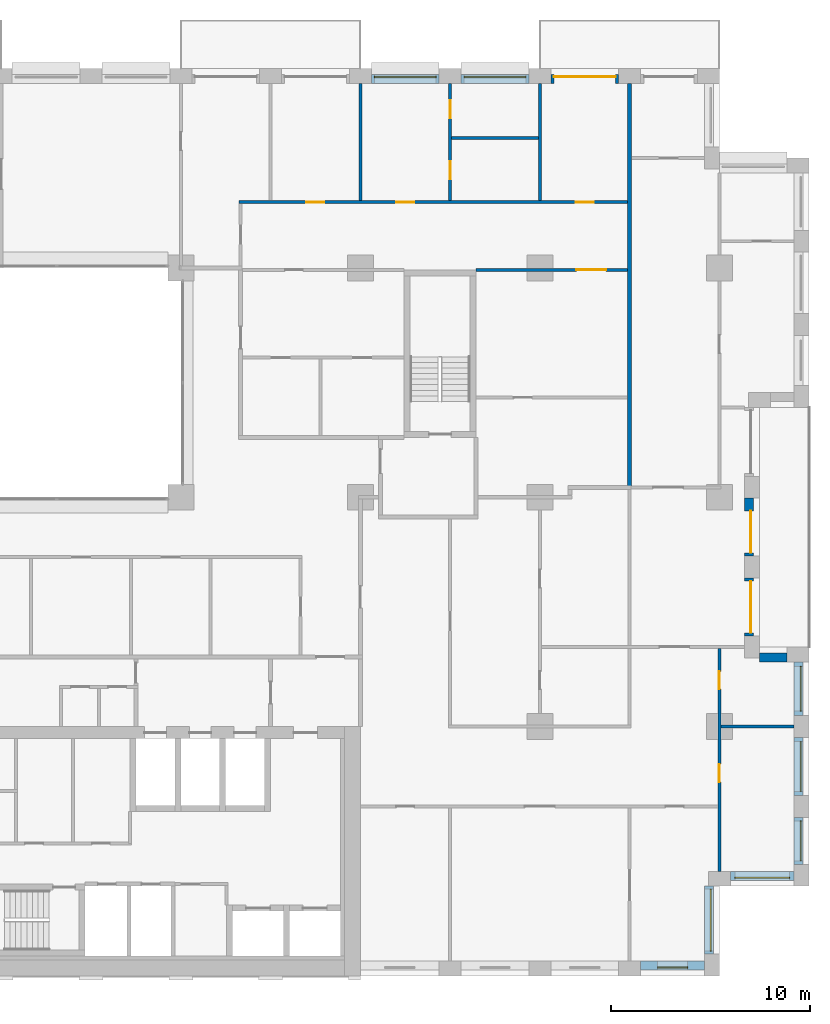
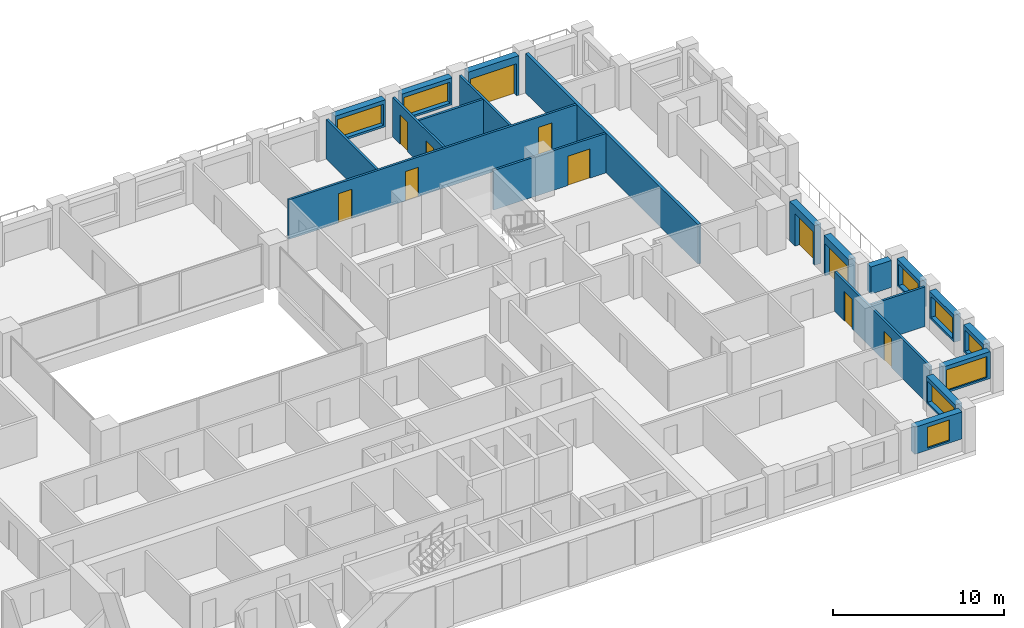
# One storey, part 14 of 16: 21 walls, 11 doors, 8 windows, 19 openings.
"""IFC4 building model written with IfcOpenShell, lengths in metres."""

from ifc_helpers import new_model, si_unit, direction, frame, frame_2d, origin, place, context, subcontext, project, spatial, rectangle, extrude, material, layer, layer_set, type_object, element, fill, save


model = new_model("IFC4")

# Units and contexts
model_context = context("Model", 3, precision=1e-05, world=origin(), true_north=direction((0.0, 1.0)))
body_context = subcontext(model_context, "Body", "Model", "MODEL_VIEW")
ifc_project = project(units=[si_unit("LENGTHUNIT", "METRE"), si_unit("AREAUNIT", "SQUARE_METRE"), si_unit("VOLUMEUNIT", "CUBIC_METRE"), si_unit("PLANEANGLEUNIT", "RADIAN"), si_unit("MASSUNIT", "GRAM", prefix="KILO")], contexts=[model_context])

# Site, building, storey
site_placement = place(None, origin())
site = spatial("IfcSite", under=ifc_project, at=site_placement, CompositionType="ELEMENT")
building_placement = place(site_placement, origin())
building = spatial("IfcBuilding", under=site, at=building_placement, Name="Brigalow Station Residences", CompositionType="ELEMENT")
storey_placement = place(building_placement, frame((0.0, 0.0, 86.699951171875)))
storey = spatial("IfcBuildingStorey", under=building, at=storey_placement, Name="L24", CompositionType="ELEMENT", Elevation=86.699951171875)

# Wall, opening, window
ifc_material_1 = material(Name="Clay brick masonry", Category="masonry")
ifc_layer_1 = layer(ifc_material_1, 0.449951171875)
ifc_layer_set_1 = layer_set([ifc_layer_1], Name="BRICK INFILL WALL 450")
wall_type_1 = type_object("IfcWallType", Name="BRICK INFILL WALL 450", PredefinedType="SOLIDWALL", material=ifc_layer_set_1)
wall_1_placement = place(storey_placement, frame((68.050048828125, 0.52490234375, 0.900146484375), z_axis=(0.0, 0.0, 1.0), x_axis=(1.0, 0.0, 0.0)))
wall_1 = element("IfcWall", 1, at=wall_1_placement, inside=storey, type_object=wall_type_1, Name="L24/ewall/W-L24-7", PredefinedType="SOLIDWALL", context=body_context, shape_type="SweptSolid", body=[
    extrude(rectangle(XDim=3.199951171875, YDim=0.449951171875, at=frame_2d((1.60009765625, 0.0))), origin(), (0.0, 0.0, 1.0), 1.929931640625),
])
opening_1_placement = place(wall_1_placement, frame((0.85009765625, 0.0, 0.14990234375)))
opening_1 = element("IfcOpeningElement", 2, at=opening_1_placement, cuts=wall_1, Name="Opening WT-1", PredefinedType="OPENING", context=body_context, shape_type="SweptSolid", body=[
    extrude(rectangle(XDim=1.5, YDim=1.5, at=frame_2d((0.75, 0.75))), frame((0.0, 0.23486328125, 0.0), z_axis=(0.0, -1.0, 0.0), x_axis=(1.0, 0.0, 0.0)), (0.0, 0.0, 1.0), 0.469970703125),
])
ifc_material_2 = material(Name="Anodised aluminium frame with double glazing", Category="aluminium")
window_type_1 = type_object("IfcWindowType", Name="WINDOW 1500x1500", PartitioningType="SINGLE_PANEL", PredefinedType="WINDOW", material=ifc_material_2)
window_1_placement = place(opening_1_placement, origin())
window_1 = element("IfcWindow", 3, at=window_1_placement, inside=storey, type_object=window_type_1, Name="L24/window/W-L24-7", OverallHeight=1.5, OverallWidth=1.5, PartitioningType="SINGLE_PANEL", PredefinedType="WINDOW", context=body_context, shape_type="SweptSolid", body=[
    extrude(rectangle(XDim=1.5, YDim=1.5, at=frame_2d((0.75, 0.75))), frame((0.0, -0.06494140625, 0.0), z_axis=(0.0, -1.0, 0.0), x_axis=(1.0, 0.0, 0.0)), (0.0, 0.0, 1.0), 0.06005859375),
])
fill(opening_1, window_1)

wall_2_placement = place(storey_placement, frame((71.47509765625, 1.10009765625, 0.900146484375), z_axis=(0.0, 0.0, 1.0), x_axis=(0.0, 1.0, 0.0)))
wall_2 = element("IfcWall", 4, at=wall_2_placement, inside=storey, type_object=wall_type_1, Name="L24/ewall/W-L24-8", PredefinedType="SOLIDWALL", context=body_context, shape_type="SweptSolid", body=[
    extrude(rectangle(XDim=3.39990234375, YDim=0.449951171875, at=frame_2d((1.699951171875, 0.0))), origin(), (0.0, 0.0, 1.0), 1.929931640625),
])
opening_2_placement = place(wall_2_placement, frame((0.14990234375, 0.0, 0.14990234375)))
opening_2 = element("IfcOpeningElement", 5, at=opening_2_placement, cuts=wall_2, Name="Opening WT-8", PredefinedType="OPENING", context=body_context, shape_type="SweptSolid", body=[
    extrude(rectangle(XDim=3.10009765625, YDim=1.5, at=frame_2d((1.550048828125, 0.75))), frame((0.0, 0.23486328125, 0.0), z_axis=(0.0, -1.0, 0.0), x_axis=(1.0, 0.0, 0.0)), (0.0, 0.0, 1.0), 0.469970703125),
])
ifc_material_3 = material(Name="Anodised aluminium frame with double glazing", Category="aluminium")
window_type_2 = type_object("IfcWindowType", Name="WINDOW 3100x1500", PartitioningType="SINGLE_PANEL", PredefinedType="WINDOW", material=ifc_material_3)
window_2_placement = place(opening_2_placement, origin())
window_2 = element("IfcWindow", 6, at=window_2_placement, inside=storey, type_object=window_type_2, Name="L24/window/W-L24-8", OverallHeight=1.5, OverallWidth=3.10009765625, PartitioningType="SINGLE_PANEL", PredefinedType="WINDOW", context=body_context, shape_type="SweptSolid", body=[
    extrude(rectangle(XDim=3.10009765625, YDim=1.5, at=frame_2d((1.550048828125, 0.75))), frame((0.0, -0.06494140625, 0.0), z_axis=(0.0, -1.0, 0.0), x_axis=(1.0, 0.0, 0.0)), (0.0, 0.0, 1.0), 0.06005859375),
])
fill(opening_2, window_2)

wall_3_placement = place(storey_placement, frame((72.550048828125, 5.02490234375, 0.900146484375), z_axis=(0.0, 0.0, 1.0), x_axis=(1.0, 0.0, 0.0)))
wall_3 = element("IfcWall", 7, at=wall_3_placement, inside=storey, type_object=wall_type_1, Name="L24/ewall/W-L24-9", PredefinedType="SOLIDWALL", context=body_context, shape_type="SweptSolid", body=[
    extrude(rectangle(XDim=3.199951171875, YDim=0.449951171875, at=frame_2d((1.60009765625, 0.0))), origin(), (0.0, 0.0, 1.0), 1.929931640625),
])
opening_3_placement = place(wall_3_placement, frame((0.22509765625, 0.0, 0.14990234375)))
opening_3 = element("IfcOpeningElement", 8, at=opening_3_placement, cuts=wall_3, Name="Opening WT-3", PredefinedType="OPENING", context=body_context, shape_type="SweptSolid", body=[
    extrude(rectangle(XDim=2.75, YDim=1.5, at=frame_2d((1.375, 0.75))), frame((0.0, 0.23486328125, 0.0), z_axis=(0.0, -1.0, 0.0), x_axis=(1.0, 0.0, 0.0)), (0.0, 0.0, 1.0), 0.469970703125),
])
ifc_material_4 = material(Name="Anodised aluminium frame with double glazing", Category="aluminium")
window_type_3 = type_object("IfcWindowType", Name="WINDOW 2750x1500", PartitioningType="SINGLE_PANEL", PredefinedType="WINDOW", material=ifc_material_4)
window_3_placement = place(opening_3_placement, origin())
window_3 = element("IfcWindow", 9, at=window_3_placement, inside=storey, type_object=window_type_3, Name="L24/window/W-L24-9", OverallHeight=1.5, OverallWidth=2.75, PartitioningType="SINGLE_PANEL", PredefinedType="WINDOW", context=body_context, shape_type="SweptSolid", body=[
    extrude(rectangle(XDim=2.75, YDim=1.5, at=frame_2d((1.375, 0.75))), frame((0.0, -0.06494140625, 0.0), z_axis=(0.0, -1.0, 0.0), x_axis=(1.0, 0.0, 0.0)), (0.0, 0.0, 1.0), 0.06005859375),
])
fill(opening_3, window_3)

wall_4_placement = place(storey_placement, frame((75.97509765625, 5.60009765625, 0.900146484375), z_axis=(0.0, 0.0, 1.0), x_axis=(0.0, 1.0, 0.0)))
wall_4 = element("IfcWall", 10, at=wall_4_placement, inside=storey, type_object=wall_type_1, Name="L24/ewall/W-L24-10", PredefinedType="SOLIDWALL", context=body_context, shape_type="SweptSolid", body=[
    extrude(rectangle(XDim=2.349853515625, YDim=0.449951171875, at=frame_2d((1.1748046875, 0.0))), origin(), (0.0, 0.0, 1.0), 1.929931640625),
])
opening_4_placement = place(wall_4_placement, frame((0.175048828125, 0.0, 0.14990234375)))
opening_4 = element("IfcOpeningElement", 11, at=opening_4_placement, cuts=wall_4, Name="Opening WT-7", PredefinedType="OPENING", context=body_context, shape_type="SweptSolid", body=[
    extrude(rectangle(XDim=2.0, YDim=1.5, at=frame_2d((1.0, 0.75))), frame((0.0, 0.23486328125, 0.0), z_axis=(0.0, -1.0, 0.0), x_axis=(1.0, 0.0, 0.0)), (0.0, 0.0, 1.0), 0.469970703125),
])
ifc_material_5 = material(Name="Anodised aluminium frame with double glazing", Category="aluminium")
window_type_4 = type_object("IfcWindowType", Name="WINDOW 2000x1500", PartitioningType="SINGLE_PANEL", PredefinedType="WINDOW", material=ifc_material_5)
window_4_placement = place(opening_4_placement, origin())
window_4 = element("IfcWindow", 12, at=window_4_placement, inside=storey, type_object=window_type_4, Name="L24/window/W-L24-10", OverallHeight=1.5, OverallWidth=2.0, PartitioningType="SINGLE_PANEL", PredefinedType="WINDOW", context=body_context, shape_type="SweptSolid", body=[
    extrude(rectangle(XDim=2.0, YDim=1.5, at=frame_2d((1.0, 0.75))), frame((0.0, -0.06494140625, 0.0), z_axis=(0.0, -1.0, 0.0), x_axis=(1.0, 0.0, 0.0)), (0.0, 0.0, 1.0), 0.06005859375),
])
fill(opening_4, window_4)

wall_5_placement = place(storey_placement, frame((75.97509765625, 9.050048828125, 0.900146484375), z_axis=(0.0, 0.0, 1.0), x_axis=(0.0, 1.0, 0.0)))
wall_5 = element("IfcWall", 13, at=wall_5_placement, inside=storey, type_object=wall_type_1, Name="L24/ewall/W-L24-11", PredefinedType="SOLIDWALL", context=body_context, shape_type="SweptSolid", body=[
    extrude(rectangle(XDim=2.89990234375, YDim=0.449951171875, at=frame_2d((1.449951171875, 0.0))), origin(), (0.0, 0.0, 1.0), 1.929931640625),
])
opening_5_placement = place(wall_5_placement, frame((0.199951171875, 0.0, 0.14990234375)))
opening_5 = element("IfcOpeningElement", 14, at=opening_5_placement, cuts=wall_5, Name="Opening WT-5", PredefinedType="OPENING", context=body_context, shape_type="SweptSolid", body=[
    extrude(rectangle(XDim=2.5, YDim=1.5, at=frame_2d((1.25, 0.75))), frame((0.0, 0.23486328125, 0.0), z_axis=(0.0, -1.0, 0.0), x_axis=(1.0, 0.0, 0.0)), (0.0, 0.0, 1.0), 0.469970703125),
])
ifc_material_6 = material(Name="Anodised aluminium frame with double glazing", Category="aluminium")
window_type_5 = type_object("IfcWindowType", Name="WINDOW 2500x1500", PartitioningType="SINGLE_PANEL", PredefinedType="WINDOW", material=ifc_material_6)
window_5_placement = place(opening_5_placement, origin())
window_5 = element("IfcWindow", 15, at=window_5_placement, inside=storey, type_object=window_type_5, Name="L24/window/W-L24-11", OverallHeight=1.5, OverallWidth=2.5, PartitioningType="SINGLE_PANEL", PredefinedType="WINDOW", context=body_context, shape_type="SweptSolid", body=[
    extrude(rectangle(XDim=2.5, YDim=1.5, at=frame_2d((1.25, 0.75))), frame((0.0, -0.06494140625, 0.0), z_axis=(0.0, -1.0, 0.0), x_axis=(1.0, 0.0, 0.0)), (0.0, 0.0, 1.0), 0.06005859375),
])
fill(opening_5, window_5)

wall_6_placement = place(storey_placement, frame((75.97509765625, 13.050048828125, 0.900146484375), z_axis=(0.0, 0.0, 1.0), x_axis=(0.0, 1.0, 0.0)))
wall_6 = element("IfcWall", 16, at=wall_6_placement, inside=storey, type_object=wall_type_1, Name="L24/ewall/W-L24-12", PredefinedType="SOLIDWALL", context=body_context, shape_type="SweptSolid", body=[
    extrude(rectangle(XDim=2.699951171875, YDim=0.449951171875, at=frame_2d((1.35009765625, 0.0))), origin(), (0.0, 0.0, 1.0), 1.929931640625),
])
opening_6_placement = place(wall_6_placement, frame((0.22509765625, 0.0, 0.14990234375)))
opening_6 = element("IfcOpeningElement", 17, at=opening_6_placement, cuts=wall_6, Name="Opening WT-6", PredefinedType="OPENING", context=body_context, shape_type="SweptSolid", body=[
    extrude(rectangle(XDim=2.25, YDim=1.5, at=frame_2d((1.125, 0.75))), frame((0.0, 0.23486328125, 0.0), z_axis=(0.0, -1.0, 0.0), x_axis=(1.0, 0.0, 0.0)), (0.0, 0.0, 1.0), 0.469970703125),
])
ifc_material_7 = material(Name="Anodised aluminium frame with double glazing", Category="aluminium")
window_type_6 = type_object("IfcWindowType", Name="WINDOW 2250x1500", PartitioningType="SINGLE_PANEL", PredefinedType="WINDOW", material=ifc_material_7)
window_6_placement = place(opening_6_placement, origin())
window_6 = element("IfcWindow", 18, at=window_6_placement, inside=storey, type_object=window_type_6, Name="L24/window/W-L24-12", OverallHeight=1.5, OverallWidth=2.25, PartitioningType="SINGLE_PANEL", PredefinedType="WINDOW", context=body_context, shape_type="SweptSolid", body=[
    extrude(rectangle(XDim=2.25, YDim=1.5, at=frame_2d((1.125, 0.75))), frame((0.0, -0.06494140625, 0.0), z_axis=(0.0, -1.0, 0.0), x_axis=(1.0, 0.0, 0.0)), (0.0, 0.0, 1.0), 0.06005859375),
])
fill(opening_6, window_6)

# Wall
wall_7_placement = place(storey_placement, frame((75.39990234375, 15.97509765625, 0.900146484375), z_axis=(0.0, 0.0, 1.0), x_axis=(-1.0, 0.0, 0.0)))
element("IfcWall", 19, at=wall_7_placement, inside=storey, type_object=wall_type_1, Name="L24/ewall/W-L24-13", PredefinedType="SOLIDWALL", context=body_context, shape_type="SweptSolid", body=[
    extrude(rectangle(XDim=1.39990234375, YDim=0.449951171875, at=frame_2d((0.699951171875, 0.0))), origin(), (0.0, 0.0, 1.0), 1.929931640625),
])

# Wall, opening, door
wall_8_placement = place(storey_placement, frame((73.47509765625, 17.050048828125, 0.0), z_axis=(0.0, 0.0, 1.0), x_axis=(0.0, 1.0, 0.0)))
wall_8 = element("IfcWall", 20, at=wall_8_placement, inside=storey, type_object=wall_type_1, Name="L24/ewall/W-L24-14", PredefinedType="SOLIDWALL", context=body_context, shape_type="SweptSolid", body=[
    extrude(rectangle(XDim=2.89990234375, YDim=0.449951171875, at=frame_2d((1.449951171875, 0.0))), origin(), (0.0, 0.0, 1.0), 2.830078125),
])
opening_7_placement = place(wall_8_placement, frame((0.14990234375, 0.0, 0.0)))
opening_7 = element("IfcOpeningElement", 21, at=opening_7_placement, cuts=wall_8, Name="Opening D-B2600", PredefinedType="OPENING", context=body_context, shape_type="SweptSolid", body=[
    extrude(rectangle(XDim=2.60009765625, YDim=2.300048828125, at=frame_2d((1.300048828125, 1.14990234375))), frame((0.0, 0.23486328125, 0.0), z_axis=(0.0, -1.0, 0.0), x_axis=(1.0, 0.0, 0.0)), (0.0, 0.0, 1.0), 0.469970703125),
])
ifc_material_8 = material(Name="Anodised aluminium frame with double glazing", Category="aluminium")
door_type_1 = type_object("IfcDoorType", Name="BALCONY SLIDING DOOR 2600x2300", OperationType="SLIDING_TO_LEFT", PredefinedType="DOOR", material=ifc_material_8)
door_1_placement = place(opening_7_placement, origin())
door_1 = element("IfcDoor", 22, at=door_1_placement, inside=storey, type_object=door_type_1, Name="L24/balcony-door/W-L24-14", OperationType="SLIDING_TO_LEFT", OverallHeight=2.300048828125, OverallWidth=2.60009765625, PredefinedType="DOOR", context=body_context, shape_type="SweptSolid", body=[
    extrude(rectangle(XDim=2.60009765625, YDim=2.300048828125, at=frame_2d((1.300048828125, 1.14990234375))), frame((0.0, -0.06982421875, 0.0), z_axis=(0.0, -1.0, 0.0), x_axis=(1.0, 0.0, 0.0)), (0.0, 0.0, 1.0), 0.050048828125),
])
fill(opening_7, door_1)

wall_9_placement = place(storey_placement, frame((73.47509765625, 21.050048828125, 0.0), z_axis=(0.0, 0.0, 1.0), x_axis=(0.0, 1.0, 0.0)))
wall_9 = element("IfcWall", 23, at=wall_9_placement, inside=storey, type_object=wall_type_1, Name="L24/ewall/W-L24-15", PredefinedType="SOLIDWALL", context=body_context, shape_type="SweptSolid", body=[
    extrude(rectangle(XDim=2.89990234375, YDim=0.449951171875, at=frame_2d((1.449951171875, 0.0))), origin(), (0.0, 0.0, 1.0), 2.830078125),
])
opening_8_placement = place(wall_9_placement, frame((0.1650390625, 0.0, 0.0)))
opening_8 = element("IfcOpeningElement", 24, at=opening_8_placement, cuts=wall_9, Name="Opening D-B2100", PredefinedType="OPENING", context=body_context, shape_type="SweptSolid", body=[
    extrude(rectangle(XDim=2.10009765625, YDim=2.300048828125, at=frame_2d((1.050048828125, 1.14990234375))), frame((0.0, 0.23486328125, 0.0), z_axis=(0.0, -1.0, 0.0), x_axis=(1.0, 0.0, 0.0)), (0.0, 0.0, 1.0), 0.469970703125),
])
ifc_material_9 = material(Name="Anodised aluminium frame with double glazing", Category="aluminium")
door_type_2 = type_object("IfcDoorType", Name="BALCONY SLIDING DOOR 2100x2300", OperationType="SLIDING_TO_LEFT", PredefinedType="DOOR", material=ifc_material_9)
door_2_placement = place(opening_8_placement, origin())
door_2 = element("IfcDoor", 25, at=door_2_placement, inside=storey, type_object=door_type_2, Name="L24/balcony-door/W-L24-15", OperationType="SLIDING_TO_LEFT", OverallHeight=2.300048828125, OverallWidth=2.10009765625, PredefinedType="DOOR", context=body_context, shape_type="SweptSolid", body=[
    extrude(rectangle(XDim=2.10009765625, YDim=2.300048828125, at=frame_2d((1.050048828125, 1.14990234375))), frame((0.0, -0.06982421875, 0.0), z_axis=(0.0, -1.0, 0.0), x_axis=(1.0, 0.0, 0.0)), (0.0, 0.0, 1.0), 0.050048828125),
])
fill(opening_8, door_2)

wall_10_placement = place(storey_placement, frame((66.949951171875, 44.97509765625, 0.0), z_axis=(0.0, 0.0, 1.0), x_axis=(-1.0, 0.0, 0.0)))
wall_10 = element("IfcWall", 26, at=wall_10_placement, inside=storey, type_object=wall_type_1, Name="L24/ewall/W-L24-24", PredefinedType="SOLIDWALL", context=body_context, shape_type="SweptSolid", body=[
    extrude(rectangle(XDim=3.39990234375, YDim=0.449951171875, at=frame_2d((1.699951171875, 0.0))), origin(), (0.0, 0.0, 1.0), 2.830078125),
])
opening_9_placement = place(wall_10_placement, frame((0.14990234375, 0.0, 0.0)))
opening_9 = element("IfcOpeningElement", 27, at=opening_9_placement, cuts=wall_10, Name="Opening D-B3100", PredefinedType="OPENING", context=body_context, shape_type="SweptSolid", body=[
    extrude(rectangle(XDim=3.10009765625, YDim=2.300048828125, at=frame_2d((1.550048828125, 1.14990234375))), frame((0.0, 0.23486328125, 0.0), z_axis=(0.0, -1.0, 0.0), x_axis=(1.0, 0.0, 0.0)), (0.0, 0.0, 1.0), 0.469970703125),
])
ifc_material_10 = material(Name="Anodised aluminium frame with double glazing", Category="aluminium")
door_type_3 = type_object("IfcDoorType", Name="BALCONY SLIDING DOOR 3100x2300", OperationType="SLIDING_TO_LEFT", PredefinedType="DOOR", material=ifc_material_10)
door_3_placement = place(opening_9_placement, origin())
door_3 = element("IfcDoor", 28, at=door_3_placement, inside=storey, type_object=door_type_3, Name="L24/balcony-door/W-L24-24", OperationType="SLIDING_TO_LEFT", OverallHeight=2.300048828125, OverallWidth=3.10009765625, PredefinedType="DOOR", context=body_context, shape_type="SweptSolid", body=[
    extrude(rectangle(XDim=3.10009765625, YDim=2.300048828125, at=frame_2d((1.550048828125, 1.14990234375))), frame((0.0, -0.06982421875, 0.0), z_axis=(0.0, -1.0, 0.0), x_axis=(1.0, 0.0, 0.0)), (0.0, 0.0, 1.0), 0.050048828125),
])
fill(opening_9, door_3)

# Wall, opening, window
wall_11_placement = place(storey_placement, frame((62.449951171875, 44.97509765625, 0.900146484375), z_axis=(0.0, 0.0, 1.0), x_axis=(-1.0, 0.0, 0.0)))
wall_11 = element("IfcWall", 29, at=wall_11_placement, inside=storey, type_object=wall_type_1, Name="L24/ewall/W-L24-25", PredefinedType="SOLIDWALL", context=body_context, shape_type="SweptSolid", body=[
    extrude(rectangle(XDim=3.39990234375, YDim=0.449951171875, at=frame_2d((1.699951171875, 0.0))), origin(), (0.0, 0.0, 1.0), 1.929931640625),
])
opening_10_placement = place(wall_11_placement, frame((0.14990234375, 0.0, 0.14990234375)))
opening_10 = element("IfcOpeningElement", 30, at=opening_10_placement, cuts=wall_11, Name="Opening WT-8", PredefinedType="OPENING", context=body_context, shape_type="SweptSolid", body=[
    extrude(rectangle(XDim=3.10009765625, YDim=1.5, at=frame_2d((1.550048828125, 0.75))), frame((0.0, 0.23486328125, 0.0), z_axis=(0.0, -1.0, 0.0), x_axis=(1.0, 0.0, 0.0)), (0.0, 0.0, 1.0), 0.469970703125),
])
window_7_placement = place(opening_10_placement, origin())
window_7 = element("IfcWindow", 31, at=window_7_placement, inside=storey, type_object=window_type_2, Name="L24/window/W-L24-25", OverallHeight=1.5, OverallWidth=3.10009765625, PartitioningType="SINGLE_PANEL", PredefinedType="WINDOW", context=body_context, shape_type="SweptSolid", body=[
    extrude(rectangle(XDim=3.10009765625, YDim=1.5, at=frame_2d((1.550048828125, 0.75))), frame((0.0, -0.06494140625, 0.0), z_axis=(0.0, -1.0, 0.0), x_axis=(1.0, 0.0, 0.0)), (0.0, 0.0, 1.0), 0.06005859375),
])
fill(opening_10, window_7)

wall_12_placement = place(storey_placement, frame((57.949951171875, 44.97509765625, 0.900146484375), z_axis=(0.0, 0.0, 1.0), x_axis=(-1.0, 0.0, 0.0)))
wall_12 = element("IfcWall", 32, at=wall_12_placement, inside=storey, type_object=wall_type_1, Name="L24/ewall/W-L24-26", PredefinedType="SOLIDWALL", context=body_context, shape_type="SweptSolid", body=[
    extrude(rectangle(XDim=3.39990234375, YDim=0.449951171875, at=frame_2d((1.699951171875, 0.0))), origin(), (0.0, 0.0, 1.0), 1.929931640625),
])
opening_11_placement = place(wall_12_placement, frame((0.14990234375, 0.0, 0.14990234375)))
opening_11 = element("IfcOpeningElement", 33, at=opening_11_placement, cuts=wall_12, Name="Opening WT-8", PredefinedType="OPENING", context=body_context, shape_type="SweptSolid", body=[
    extrude(rectangle(XDim=3.10009765625, YDim=1.5, at=frame_2d((1.550048828125, 0.75))), frame((0.0, 0.23486328125, 0.0), z_axis=(0.0, -1.0, 0.0), x_axis=(1.0, 0.0, 0.0)), (0.0, 0.0, 1.0), 0.469970703125),
])
window_8_placement = place(opening_11_placement, origin())
window_8 = element("IfcWindow", 34, at=window_8_placement, inside=storey, type_object=window_type_2, Name="L24/window/W-L24-26", OverallHeight=1.5, OverallWidth=3.10009765625, PartitioningType="SINGLE_PANEL", PredefinedType="WINDOW", context=body_context, shape_type="SweptSolid", body=[
    extrude(rectangle(XDim=3.10009765625, YDim=1.5, at=frame_2d((1.550048828125, 0.75))), frame((0.0, -0.06494140625, 0.0), z_axis=(0.0, -1.0, 0.0), x_axis=(1.0, 0.0, 0.0)), (0.0, 0.0, 1.0), 0.06005859375),
])
fill(opening_11, window_8)

# Wall
ifc_material_11 = material(Name="Plasterboard on steel stud partition", Category="steel")
ifc_layer_2 = layer(ifc_material_11, 0.14990234375)
ifc_layer_set_2 = layer_set([ifc_layer_2], Name="FLAT PARTITION 150")
wall_type_2 = type_object("IfcWallType", Name="FLAT PARTITION 150", PredefinedType="PARTITIONING", material=ifc_layer_set_2)
wall_13_placement = place(storey_placement, frame((72.074951171875, 12.5, 0.0), z_axis=(0.0, 0.0, 1.0), x_axis=(1.0, 0.0, 0.0)))
element("IfcWall", 35, at=wall_13_placement, inside=storey, type_object=wall_type_2, Name="PW-2A18", PredefinedType="PARTITIONING", context=body_context, shape_type="SweptSolid", body=[
    extrude(rectangle(XDim=3.675048828125, YDim=0.14990234375, at=frame_2d((1.83740234375, 0.0))), origin(), (0.0, 0.0, 1.0), 2.830078125),
])

# Wall, opening, door
wall_14_placement = place(storey_placement, frame((59.800048828125, 35.39990234375, 0.0), z_axis=(0.0, 0.0, 1.0), x_axis=(1.0, 0.0, 0.0)))
wall_14 = element("IfcWall", 36, at=wall_14_placement, inside=storey, type_object=wall_type_2, Name="PW-2A30", PredefinedType="PARTITIONING", context=body_context, shape_type="SweptSolid", body=[
    extrude(rectangle(XDim=7.599853515625, YDim=0.14990234375, at=frame_2d((3.7998046875, 0.0))), origin(), (0.0, 0.0, 1.0), 2.830078125),
])
opening_12_placement = place(wall_14_placement, frame((5.02490234375, 0.0, 0.0)))
opening_12 = element("IfcOpeningElement", 37, at=opening_12_placement, cuts=wall_14, Name="Opening D-2A32", PredefinedType="OPENING", context=body_context, shape_type="SweptSolid", body=[
    extrude(rectangle(XDim=1.5, YDim=2.10009765625, at=frame_2d((0.75, 1.050048828125))), frame((0.0, 0.0849609375, 0.0), z_axis=(0.0, -1.0, 0.0), x_axis=(1.0, 0.0, 0.0)), (0.0, 0.0, 1.0), 0.169921875),
])
ifc_material_12 = material(Name="Solid-core timber door leaf", Category="wood")
door_type_4 = type_object("IfcDoorType", Name="INTERNAL DOUBLE DOOR 1500 x 2100", OperationType="DOUBLE_DOOR_SINGLE_SWING", PredefinedType="DOOR", material=ifc_material_12)
door_4_placement = place(opening_12_placement, frame((1.5, 0.0, 0.0), z_axis=(0.0, 0.0, 1.0), x_axis=(-1.0, 0.0, 0.0)))
door_4 = element("IfcDoor", 38, at=door_4_placement, inside=storey, type_object=door_type_4, Name="D-2A32", OperationType="DOUBLE_DOOR_SINGLE_SWING", OverallHeight=2.10009765625, OverallWidth=1.5, PredefinedType="DOOR", context=body_context, shape_type="SweptSolid", body=[
    extrude(rectangle(XDim=1.5, YDim=2.10009765625, at=frame_2d((0.75, 1.050048828125))), frame((0.0, 0.02490234375, 0.0), z_axis=(0.0, -1.0, 0.0), x_axis=(1.0, 0.0, 0.0)), (0.0, 0.0, 1.0), 0.050048828125),
])
fill(opening_12, door_4)

# Wall, openings, doors
wall_15_placement = place(storey_placement, frame((47.925048828125, 38.800048828125, 0.0), z_axis=(0.0, 0.0, 1.0), x_axis=(1.0, 0.0, 0.0)))
wall_15 = element("IfcWall", 39, at=wall_15_placement, inside=storey, type_object=wall_type_2, Name="PW-2A34", PredefinedType="PARTITIONING", context=body_context, shape_type="SweptSolid", body=[
    extrude(rectangle(XDim=19.474853515625, YDim=0.14990234375, at=frame_2d((9.7373046875, 0.0))), origin(), (0.0, 0.0, 1.0), 2.830078125),
])
opening_13_placement = place(wall_15_placement, frame((3.375, 0.0, 0.0)))
opening_13 = element("IfcOpeningElement", 40, at=opening_13_placement, cuts=wall_15, Name="Opening D-2A27", PredefinedType="OPENING", context=body_context, shape_type="SweptSolid", body=[
    extrude(rectangle(XDim=0.89990234375, YDim=2.10009765625, at=frame_2d((0.449951171875, 1.050048828125))), frame((0.0, 0.0849609375, 0.0), z_axis=(0.0, -1.0, 0.0), x_axis=(1.0, 0.0, 0.0)), (0.0, 0.0, 1.0), 0.169921875),
])
opening_14_placement = place(wall_15_placement, frame((7.875, 0.0, 0.0)))
opening_14 = element("IfcOpeningElement", 41, at=opening_14_placement, cuts=wall_15, Name="Opening D-2A28", PredefinedType="OPENING", context=body_context, shape_type="SweptSolid", body=[
    extrude(rectangle(XDim=0.89990234375, YDim=2.10009765625, at=frame_2d((0.449951171875, 1.050048828125))), frame((0.0, 0.0849609375, 0.0), z_axis=(0.0, -1.0, 0.0), x_axis=(1.0, 0.0, 0.0)), (0.0, 0.0, 1.0), 0.169921875),
])
opening_15_placement = place(wall_15_placement, frame((16.875, 0.0, 0.0)))
opening_15 = element("IfcOpeningElement", 42, at=opening_15_placement, cuts=wall_15, Name="Opening D-2A31", PredefinedType="OPENING", context=body_context, shape_type="SweptSolid", body=[
    extrude(rectangle(XDim=0.89990234375, YDim=2.10009765625, at=frame_2d((0.449951171875, 1.050048828125))), frame((0.0, 0.0849609375, 0.0), z_axis=(0.0, -1.0, 0.0), x_axis=(1.0, 0.0, 0.0)), (0.0, 0.0, 1.0), 0.169921875),
])
ifc_material_13 = material(Name="Solid-core timber door leaf", Category="wood")
door_type_5 = type_object("IfcDoorType", Name="INTERNAL DOOR 900 x 2100", OperationType="SINGLE_SWING_LEFT", PredefinedType="DOOR", material=ifc_material_13)
door_5_placement = place(opening_13_placement, origin())
door_5 = element("IfcDoor", 43, at=door_5_placement, inside=storey, type_object=door_type_5, Name="D-2A27", OperationType="SINGLE_SWING_RIGHT", OverallHeight=2.10009765625, OverallWidth=0.89990234375, PredefinedType="DOOR", context=body_context, shape_type="SweptSolid", body=[
    extrude(rectangle(XDim=0.89990234375, YDim=2.10009765625, at=frame_2d((0.449951171875, 1.050048828125))), frame((0.0, 0.02490234375, 0.0), z_axis=(0.0, -1.0, 0.0), x_axis=(1.0, 0.0, 0.0)), (0.0, 0.0, 1.0), 0.050048828125),
])
fill(opening_13, door_5)
door_6_placement = place(opening_14_placement, origin())
door_6 = element("IfcDoor", 44, at=door_6_placement, inside=storey, type_object=door_type_5, Name="D-2A28", OperationType="SINGLE_SWING_RIGHT", OverallHeight=2.10009765625, OverallWidth=0.89990234375, PredefinedType="DOOR", context=body_context, shape_type="SweptSolid", body=[
    extrude(rectangle(XDim=0.89990234375, YDim=2.10009765625, at=frame_2d((0.449951171875, 1.050048828125))), frame((0.0, 0.02490234375, 0.0), z_axis=(0.0, -1.0, 0.0), x_axis=(1.0, 0.0, 0.0)), (0.0, 0.0, 1.0), 0.050048828125),
])
fill(opening_14, door_6)
door_7_placement = place(opening_15_placement, origin())
door_7 = element("IfcDoor", 45, at=door_7_placement, inside=storey, type_object=door_type_5, Name="D-2A31", OperationType="SINGLE_SWING_RIGHT", OverallHeight=2.10009765625, OverallWidth=0.89990234375, PredefinedType="DOOR", context=body_context, shape_type="SweptSolid", body=[
    extrude(rectangle(XDim=0.89990234375, YDim=2.10009765625, at=frame_2d((0.449951171875, 1.050048828125))), frame((0.0, 0.02490234375, 0.0), z_axis=(0.0, -1.0, 0.0), x_axis=(1.0, 0.0, 0.0)), (0.0, 0.0, 1.0), 0.050048828125),
])
fill(opening_15, door_7)

# Walls
wall_16_placement = place(storey_placement, frame((58.574951171875, 42.0, 0.0), z_axis=(0.0, 0.0, 1.0), x_axis=(1.0, 0.0, 0.0)))
element("IfcWall", 46, at=wall_16_placement, inside=storey, type_object=wall_type_2, Name="PW-2A36", PredefinedType="PARTITIONING", context=body_context, shape_type="SweptSolid", body=[
    extrude(rectangle(XDim=4.35009765625, YDim=0.14990234375, at=frame_2d((2.175048828125, 0.0))), origin(), (0.0, 0.0, 1.0), 2.830078125),
])
wall_17_placement = place(storey_placement, frame((54.0, 38.875, 0.0), z_axis=(0.0, 0.0, 1.0), x_axis=(0.0, 1.0, 0.0)))
element("IfcWall", 47, at=wall_17_placement, inside=storey, type_object=wall_type_2, Name="PW-2A41", PredefinedType="PARTITIONING", context=body_context, shape_type="SweptSolid", body=[
    extrude(rectangle(XDim=5.875, YDim=0.14990234375, at=frame_2d((2.9375, 0.0))), origin(), (0.0, 0.0, 1.0), 2.830078125),
])

# Wall, openings, doors
wall_18_placement = place(storey_placement, frame((58.5, 38.875, 0.0), z_axis=(0.0, 0.0, 1.0), x_axis=(0.0, 1.0, 0.0)))
wall_18 = element("IfcWall", 48, at=wall_18_placement, inside=storey, type_object=wall_type_2, Name="PW-2A66", PredefinedType="PARTITIONING", context=body_context, shape_type="SweptSolid", body=[
    extrude(rectangle(XDim=5.875, YDim=0.14990234375, at=frame_2d((2.9375, 0.0))), origin(), (0.0, 0.0, 1.0), 2.830078125),
])
opening_16_placement = place(wall_18_placement, frame((1.074951171875, 0.0, 0.0)))
opening_16 = element("IfcOpeningElement", 49, at=opening_16_placement, cuts=wall_18, Name="Opening D-2A29", PredefinedType="OPENING", context=body_context, shape_type="SweptSolid", body=[
    extrude(rectangle(XDim=0.89990234375, YDim=2.10009765625, at=frame_2d((0.449951171875, 1.050048828125))), frame((0.0, 0.0849609375, 0.0), z_axis=(0.0, -1.0, 0.0), x_axis=(1.0, 0.0, 0.0)), (0.0, 0.0, 1.0), 0.169921875),
])
opening_17_placement = place(wall_18_placement, frame((4.125, 0.0, 0.0)))
opening_17 = element("IfcOpeningElement", 50, at=opening_17_placement, cuts=wall_18, Name="Opening D-2A30", PredefinedType="OPENING", context=body_context, shape_type="SweptSolid", body=[
    extrude(rectangle(XDim=0.89990234375, YDim=2.10009765625, at=frame_2d((0.449951171875, 1.050048828125))), frame((0.0, 0.0849609375, 0.0), z_axis=(0.0, -1.0, 0.0), x_axis=(1.0, 0.0, 0.0)), (0.0, 0.0, 1.0), 0.169921875),
])
door_8_placement = place(opening_16_placement, frame((0.89990234375, 0.0, 0.0), z_axis=(0.0, 0.0, 1.0), x_axis=(-1.0, 0.0, 0.0)))
door_8 = element("IfcDoor", 51, at=door_8_placement, inside=storey, type_object=door_type_5, Name="D-2A29", OperationType="SINGLE_SWING_LEFT", OverallHeight=2.10009765625, OverallWidth=0.89990234375, PredefinedType="DOOR", context=body_context, shape_type="SweptSolid", body=[
    extrude(rectangle(XDim=0.89990234375, YDim=2.10009765625, at=frame_2d((0.449951171875, 1.050048828125))), frame((0.0, 0.02490234375, 0.0), z_axis=(0.0, -1.0, 0.0), x_axis=(1.0, 0.0, 0.0)), (0.0, 0.0, 1.0), 0.050048828125),
])
fill(opening_16, door_8)
door_9_placement = place(opening_17_placement, frame((0.89990234375, 0.0, 0.0), z_axis=(0.0, 0.0, 1.0), x_axis=(-1.0, 0.0, 0.0)))
door_9 = element("IfcDoor", 52, at=door_9_placement, inside=storey, type_object=door_type_5, Name="D-2A30", OperationType="SINGLE_SWING_LEFT", OverallHeight=2.10009765625, OverallWidth=0.89990234375, PredefinedType="DOOR", context=body_context, shape_type="SweptSolid", body=[
    extrude(rectangle(XDim=0.89990234375, YDim=2.10009765625, at=frame_2d((0.449951171875, 1.050048828125))), frame((0.0, 0.02490234375, 0.0), z_axis=(0.0, -1.0, 0.0), x_axis=(1.0, 0.0, 0.0)), (0.0, 0.0, 1.0), 0.050048828125),
])
fill(opening_17, door_9)

# Wall
wall_19_placement = place(storey_placement, frame((63.0, 38.875, 0.0), z_axis=(0.0, 0.0, 1.0), x_axis=(0.0, 1.0, 0.0)))
element("IfcWall", 53, at=wall_19_placement, inside=storey, type_object=wall_type_2, Name="PW-2A68", PredefinedType="PARTITIONING", context=body_context, shape_type="SweptSolid", body=[
    extrude(rectangle(XDim=5.875, YDim=0.14990234375, at=frame_2d((2.9375, 0.0))), origin(), (0.0, 0.0, 1.0), 2.830078125),
])

# Wall, openings, doors
wall_20_placement = place(storey_placement, frame((72.0, 5.25, 0.0), z_axis=(0.0, 0.0, 1.0), x_axis=(0.0, 1.0, 0.0)))
wall_20 = element("IfcWall", 54, at=wall_20_placement, inside=storey, type_object=wall_type_2, Name="PW-2A70", PredefinedType="PARTITIONING", context=body_context, shape_type="SweptSolid", body=[
    extrude(rectangle(XDim=11.175048828125, YDim=0.14990234375, at=frame_2d((5.58740234375, 0.0))), origin(), (0.0, 0.0, 1.0), 2.830078125),
])
opening_18_placement = place(wall_20_placement, frame((4.47509765625, 0.0, 0.0)))
opening_18 = element("IfcOpeningElement", 55, at=opening_18_placement, cuts=wall_20, Name="Opening D-2A39", PredefinedType="OPENING", context=body_context, shape_type="SweptSolid", body=[
    extrude(rectangle(XDim=0.89990234375, YDim=2.10009765625, at=frame_2d((0.449951171875, 1.050048828125))), frame((0.0, 0.0849609375, 0.0), z_axis=(0.0, -1.0, 0.0), x_axis=(1.0, 0.0, 0.0)), (0.0, 0.0, 1.0), 0.169921875),
])
opening_19_placement = place(wall_20_placement, frame((9.125, 0.0, 0.0)))
opening_19 = element("IfcOpeningElement", 56, at=opening_19_placement, cuts=wall_20, Name="Opening D-2A43", PredefinedType="OPENING", context=body_context, shape_type="SweptSolid", body=[
    extrude(rectangle(XDim=0.89990234375, YDim=2.10009765625, at=frame_2d((0.449951171875, 1.050048828125))), frame((0.0, 0.0849609375, 0.0), z_axis=(0.0, -1.0, 0.0), x_axis=(1.0, 0.0, 0.0)), (0.0, 0.0, 1.0), 0.169921875),
])
door_10_placement = place(opening_18_placement, frame((0.89990234375, 0.0, 0.0), z_axis=(0.0, 0.0, 1.0), x_axis=(-1.0, 0.0, 0.0)))
door_10 = element("IfcDoor", 57, at=door_10_placement, inside=storey, type_object=door_type_5, Name="D-2A39", OperationType="SINGLE_SWING_LEFT", OverallHeight=2.10009765625, OverallWidth=0.89990234375, PredefinedType="DOOR", context=body_context, shape_type="SweptSolid", body=[
    extrude(rectangle(XDim=0.89990234375, YDim=2.10009765625, at=frame_2d((0.449951171875, 1.050048828125))), frame((0.0, 0.02490234375, 0.0), z_axis=(0.0, -1.0, 0.0), x_axis=(1.0, 0.0, 0.0)), (0.0, 0.0, 1.0), 0.050048828125),
])
fill(opening_18, door_10)
door_11_placement = place(opening_19_placement, frame((0.89990234375, 0.0, 0.0), z_axis=(0.0, 0.0, 1.0), x_axis=(-1.0, 0.0, 0.0)))
door_11 = element("IfcDoor", 58, at=door_11_placement, inside=storey, type_object=door_type_5, Name="D-2A43", OperationType="SINGLE_SWING_LEFT", OverallHeight=2.10009765625, OverallWidth=0.89990234375, PredefinedType="DOOR", context=body_context, shape_type="SweptSolid", body=[
    extrude(rectangle(XDim=0.89990234375, YDim=2.10009765625, at=frame_2d((0.449951171875, 1.050048828125))), frame((0.0, 0.02490234375, 0.0), z_axis=(0.0, -1.0, 0.0), x_axis=(1.0, 0.0, 0.0)), (0.0, 0.0, 1.0), 0.050048828125),
])
fill(opening_19, door_11)

# Wall
ifc_material_14 = material(Name="Plasterboard on steel stud partition", Category="steel")
ifc_layer_3 = layer(ifc_material_14, 0.199951171875)
ifc_layer_set_3 = layer_set([ifc_layer_3], Name="PARTY AND CORRIDOR WALL 200")
wall_type_3 = type_object("IfcWallType", Name="PARTY AND CORRIDOR WALL 200", PredefinedType="PARTITIONING", material=ifc_layer_set_3)
wall_21_placement = place(storey_placement, frame((67.5, 24.574951171875, 0.0), z_axis=(0.0, 0.0, 1.0), x_axis=(0.0, 1.0, 0.0)))
element("IfcWall", 59, at=wall_21_placement, inside=storey, type_object=wall_type_3, Name="PW-2A63", PredefinedType="PARTITIONING", context=body_context, shape_type="SweptSolid", body=[
    extrude(rectangle(XDim=20.175048828125, YDim=0.199951171875, at=frame_2d((10.08740234375, 0.0))), origin(), (0.0, 0.0, 1.0), 2.830078125),
])

save(model, "model.ifc")
